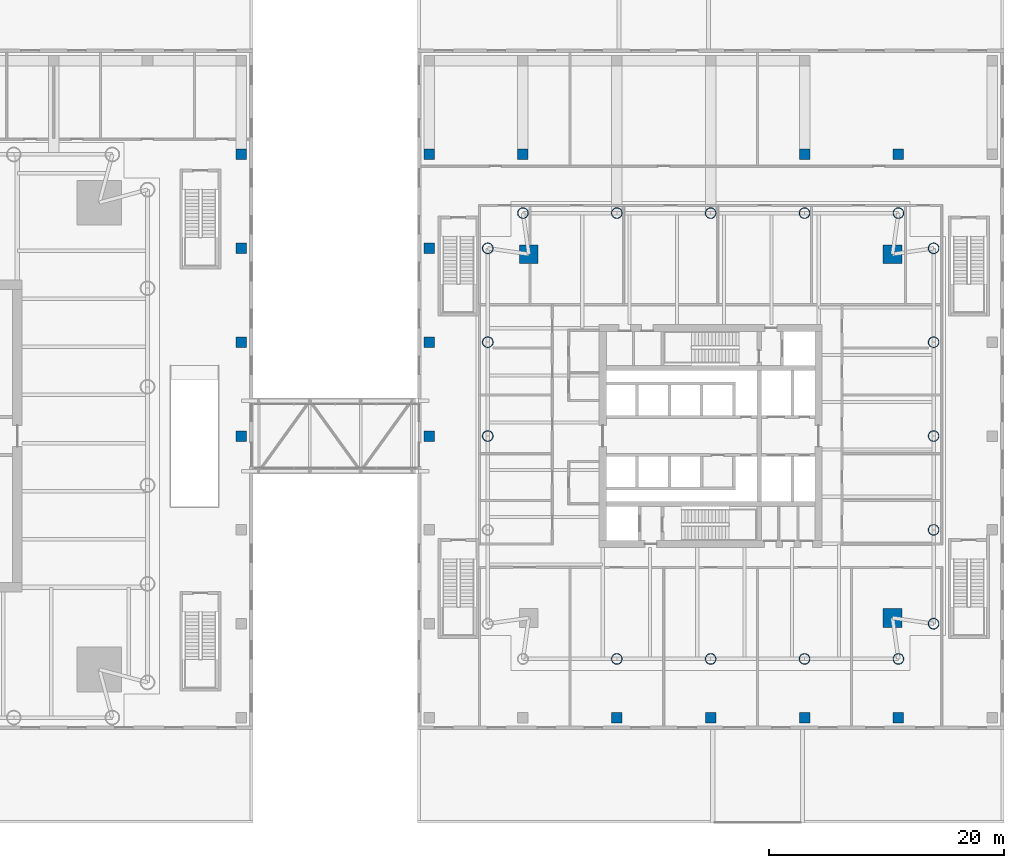
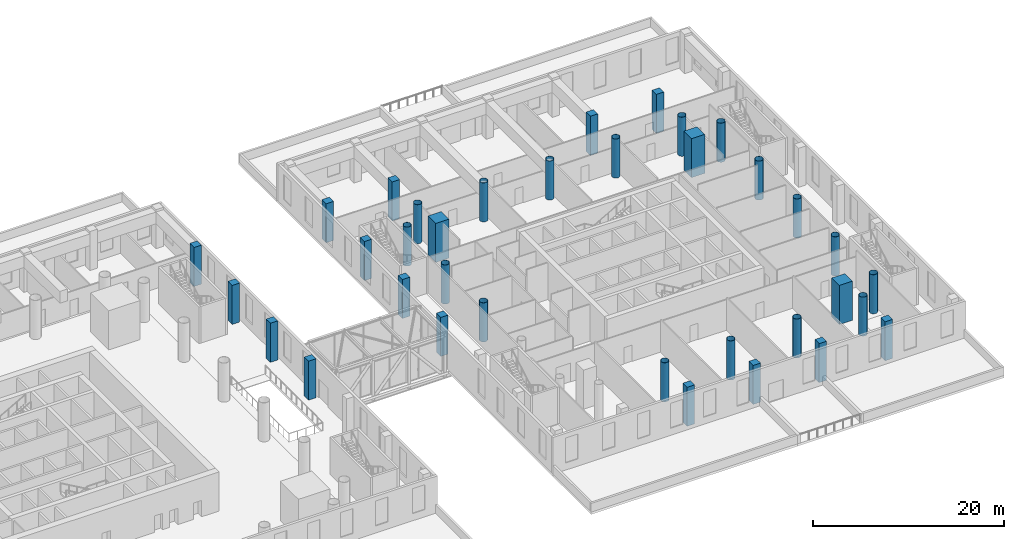
# One storey, part 2 of 23: 35 columns.
"""IFC4 building model written with IfcOpenShell, lengths in metres."""

from ifc_helpers import new_model, si_unit, direction, frame, origin, origin_2d, place, context, subcontext, project, spatial, rectangle, hollow_circle, extrude, material, material_profile, profile_set, type_object, element, save


model = new_model("IFC4")

# Units and contexts
model_context = context("Model", 3, precision=1e-05, world=origin(), true_north=direction((0.0, 1.0)))
body_context = subcontext(model_context, "Body", "Model", "MODEL_VIEW")
ifc_project = project(units=[si_unit("LENGTHUNIT", "METRE"), si_unit("AREAUNIT", "SQUARE_METRE"), si_unit("VOLUMEUNIT", "CUBIC_METRE"), si_unit("PLANEANGLEUNIT", "RADIAN"), si_unit("MASSUNIT", "GRAM", prefix="KILO")], contexts=[model_context])

# Site, building, storey
site_placement = place(None, origin())
site = spatial("IfcSite", under=ifc_project, at=site_placement, CompositionType="ELEMENT")
building_placement = place(site_placement, origin())
building = spatial("IfcBuilding", under=site, at=building_placement, Name="Ostroluk Exchange", CompositionType="ELEMENT")
storey_placement = place(building_placement, frame((0.0, 0.0, 11.0)))
storey = spatial("IfcBuildingStorey", under=building, at=storey_placement, Name="L02", CompositionType="ELEMENT", Elevation=11.0)

# Columns
ifc_material_1 = material(Name="Concrete C50/60", Category="concrete")
ifc_material_profile_1 = material_profile(ifc_material_1, rectangle(XDim=1.60009765625, YDim=1.60009765625, at=origin_2d()), Name="RC 1600x1600")
ifc_profile_set_1 = profile_set([ifc_material_profile_1], Name="Concrete C50/60")
column_type_1 = type_object("IfcColumnType", Name="Mega column RC 1600x1600", PredefinedType="COLUMN", material=ifc_profile_set_1)
for number, where, z_axis, x_axis, name in (
    (1, (132.5, 61.5, 0.0), (0.0, 0.0, 1.0), (1.0, 0.0, 0.0), "T2 mega column NE"),
    (2, (101.5, 61.5, 0.0), (0.0, 0.0, 1.0), (1.0, 0.0, 0.0), "T2 mega column NW"),
    (3, (132.5, 30.5, 0.0), (0.0, 0.0, 1.0), (1.0, 0.0, 0.0), "T2 mega column SE"),
):
    element("IfcColumn", number, at=place(storey_placement, frame(where, z_axis=z_axis, x_axis=x_axis)), inside=storey, type_object=column_type_1, Name=name, PredefinedType="COLUMN", context=body_context, shape_type="SweptSolid", body=[
        extrude(rectangle(XDim=1.60009765625, YDim=1.60009765625, at=origin_2d()), origin(), (0.0, 0.0, 1.0), 5.0),
    ])
ifc_material_2 = material(Name="Steel S460", Category="steel")
ifc_material_profile_2 = material_profile(ifc_material_2, hollow_circle(Radius=0.45703125, WallThickness=0.030029296875, at=origin_2d()), Name="CHS 914x30")
ifc_profile_set_2 = profile_set([ifc_material_profile_2], Name="Steel S460")
column_type_2 = type_object("IfcColumnType", Name="Perimeter column CHS 914x30", PredefinedType="COLUMN", material=ifc_profile_set_2)
for number, where, z_axis, x_axis, name in (
    (4, (136.0, 30.0, 0.0), (0.0, 0.0, 1.0), (1.0, 0.0, 0.0), "T2 east face column E0"),
    (5, (136.0, 62.0, 0.0), (0.0, 0.0, 1.0), (1.0, 0.0, 0.0), "T2 east face column E1"),
    (6, (136.0, 38.0, 0.0), (0.0, 0.0, 1.0), (1.0, 0.0, 0.0), "T2 east face column I1"),
    (7, (136.0, 46.0, 0.0), (0.0, 0.0, 1.0), (1.0, 0.0, 0.0), "T2 east face column I2"),
    (8, (136.0, 54.0, 0.0), (0.0, 0.0, 1.0), (1.0, 0.0, 0.0), "T2 east face column I3"),
    (9, (133.0, 65.0, 0.0), (0.0, 0.0, 1.0), (1.0, 0.0, 0.0), "T2 north face column E0"),
    (10, (101.0, 65.0, 0.0), (0.0, 0.0, 1.0), (1.0, 0.0, 0.0), "T2 north face column E1"),
    (11, (125.0, 65.0, 0.0), (0.0, 0.0, 1.0), (1.0, 0.0, 0.0), "T2 north face column I1"),
    (12, (117.0, 65.0, 0.0), (0.0, 0.0, 1.0), (1.0, 0.0, 0.0), "T2 north face column I2"),
    (13, (109.0, 65.0, 0.0), (0.0, 0.0, 1.0), (1.0, 0.0, 0.0), "T2 north face column I3"),
    (14, (98.0, 62.0, 0.0), (0.0, 0.0, 1.0), (1.0, 0.0, 0.0), "T2 west face column E0"),
    (15, (98.0, 54.0, 0.0), (0.0, 0.0, 1.0), (1.0, 0.0, 0.0), "T2 west face column I1"),
    (16, (98.0, 46.0, 0.0), (0.0, 0.0, 1.0), (1.0, 0.0, 0.0), "T2 west face column I2"),
    (17, (133.0, 27.0, 0.0), (0.0, 0.0, 1.0), (1.0, 0.0, 0.0), "T2 south face column E1"),
    (18, (109.0, 27.0, 0.0), (0.0, 0.0, 1.0), (1.0, 0.0, 0.0), "T2 south face column I1"),
    (19, (117.0, 27.0, 0.0), (0.0, 0.0, 1.0), (1.0, 0.0, 0.0), "T2 south face column I2"),
    (20, (125.0, 27.0, 0.0), (0.0, 0.0, 1.0), (1.0, 0.0, 0.0), "T2 south face column I3"),
):
    element("IfcColumn", number, at=place(storey_placement, frame(where, z_axis=z_axis, x_axis=x_axis)), inside=storey, type_object=column_type_2, Name=name, PredefinedType="COLUMN", context=body_context, shape_type="SweptSolid", body=[
        extrude(hollow_circle(Radius=0.45703125, WallThickness=0.030029296875, at=origin_2d()), origin(), (0.0, 0.0, 1.0), 5.0),
    ])
ifc_material_3 = material(Name="Concrete C50/60", Category="concrete")
ifc_material_profile_3 = material_profile(ifc_material_3, rectangle(XDim=0.89990234375, YDim=0.89990234375, at=origin_2d()), Name="RC 900x900")
ifc_profile_set_3 = profile_set([ifc_material_profile_3], Name="Concrete C50/60")
column_type_3 = type_object("IfcColumnType", Name="Podium column RC 900x900", PredefinedType="COLUMN", material=ifc_profile_set_3)
for number, where, z_axis, x_axis, name in (
    (21, (77.0, 46.0, 0.0), (0.0, 0.0, 1.0), (1.0, 0.0, 0.0), "Podium column 77/46"),
    (22, (77.0, 54.0, 0.0), (0.0, 0.0, 1.0), (1.0, 0.0, 0.0), "Podium column 77/54"),
    (23, (77.0, 62.0, 0.0), (0.0, 0.0, 1.0), (1.0, 0.0, 0.0), "Podium column 77/62"),
    (24, (77.0, 70.0, 0.0), (0.0, 0.0, 1.0), (1.0, 0.0, 0.0), "Podium column 77/70"),
    (25, (93.0, 46.0, 0.0), (0.0, 0.0, 1.0), (1.0, 0.0, 0.0), "Podium column 93/46"),
    (26, (93.0, 54.0, 0.0), (0.0, 0.0, 1.0), (1.0, 0.0, 0.0), "Podium column 93/54"),
    (27, (93.0, 62.0, 0.0), (0.0, 0.0, 1.0), (1.0, 0.0, 0.0), "Podium column 93/62"),
    (28, (93.0, 70.0, 0.0), (0.0, 0.0, 1.0), (1.0, 0.0, 0.0), "Podium column 93/70"),
    (29, (101.0, 70.0, 0.0), (0.0, 0.0, 1.0), (1.0, 0.0, 0.0), "Podium column 101/70"),
    (30, (109.0, 22.0, 0.0), (0.0, 0.0, 1.0), (1.0, 0.0, 0.0), "Podium column 109/22"),
    (31, (117.0, 22.0, 0.0), (0.0, 0.0, 1.0), (1.0, 0.0, 0.0), "Podium column 117/22"),
    (32, (125.0, 22.0, 0.0), (0.0, 0.0, 1.0), (1.0, 0.0, 0.0), "Podium column 125/22"),
    (33, (125.0, 70.0, 0.0), (0.0, 0.0, 1.0), (1.0, 0.0, 0.0), "Podium column 125/70"),
    (34, (133.0, 22.0, 0.0), (0.0, 0.0, 1.0), (1.0, 0.0, 0.0), "Podium column 133/22"),
    (35, (133.0, 70.0, 0.0), (0.0, 0.0, 1.0), (1.0, 0.0, 0.0), "Podium column 133/70"),
):
    element("IfcColumn", number, at=place(storey_placement, frame(where, z_axis=z_axis, x_axis=x_axis)), inside=storey, type_object=column_type_3, Name=name, PredefinedType="COLUMN", context=body_context, shape_type="SweptSolid", body=[
        extrude(rectangle(XDim=0.89990234375, YDim=0.89990234375, at=origin_2d()), origin(), (0.0, 0.0, 1.0), 5.0),
    ])

save(model, "model.ifc")
